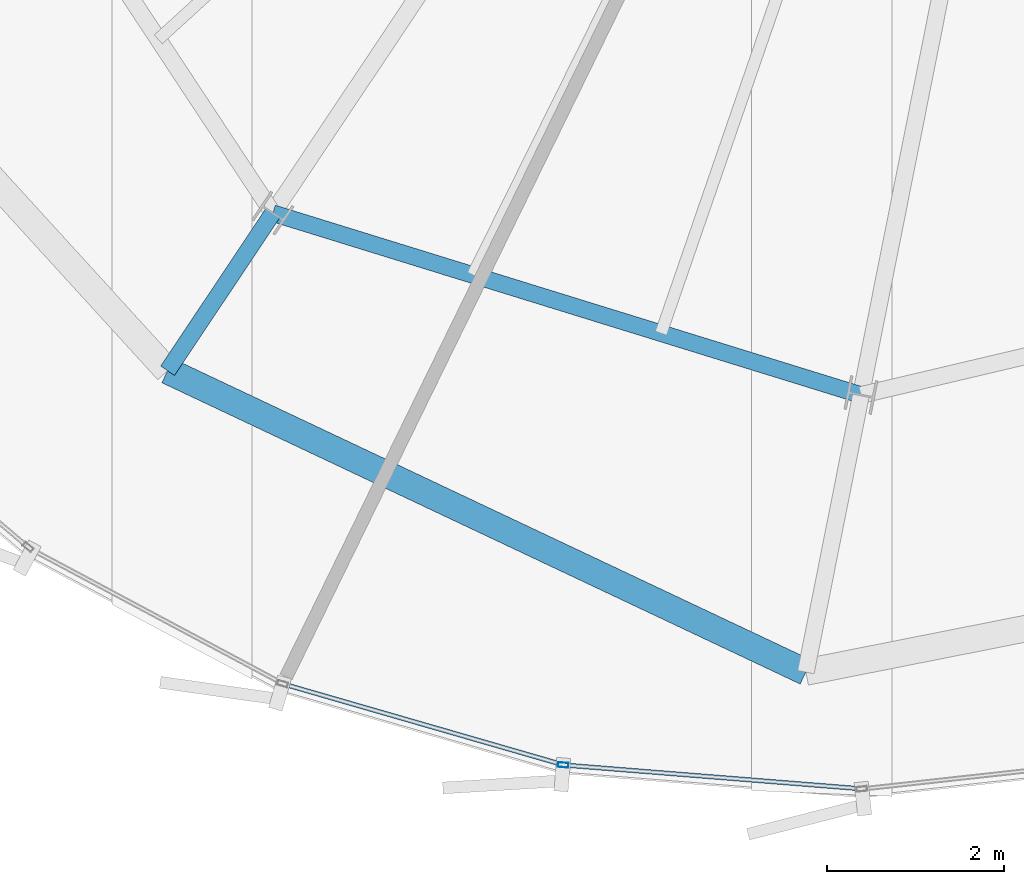
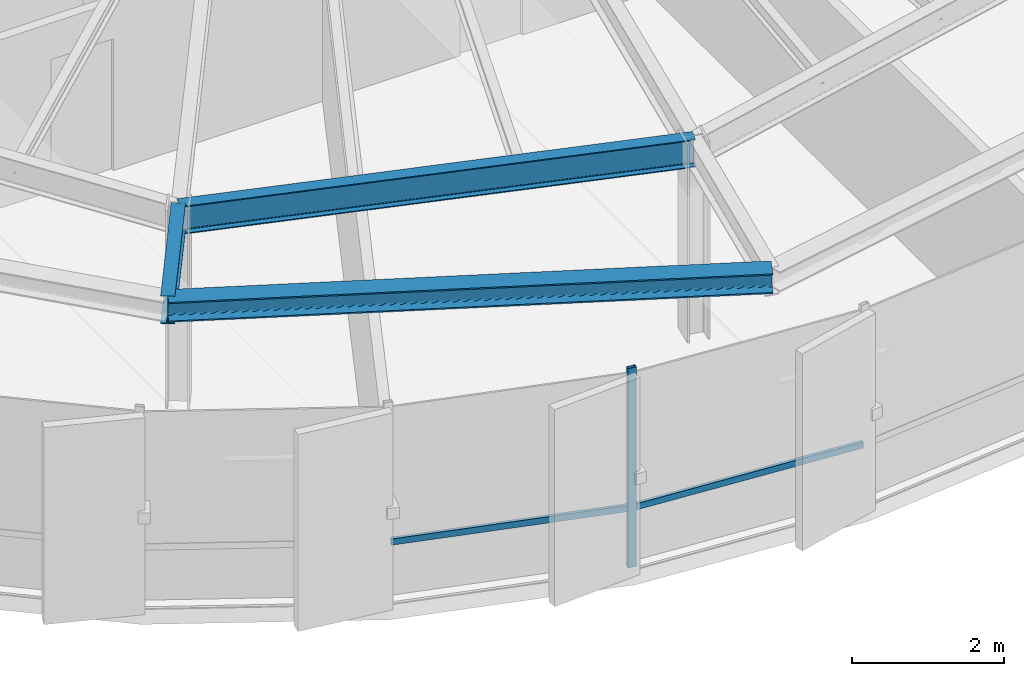
# One storey, part 3 of 34: 3 beams, 3 members, 1 element without a shape of its own.
"""IFC4 building model written with IfcOpenShell, lengths in metres."""

from ifc_helpers import new_model, si_unit, direction, frame, origin, origin_2d, place, context, subcontext, project, spatial, hollow_rectangle, i_section, extrude, source, transform, mapped, material, layer, layer_set, material_profile, profile_set, type_object, element, aggregate, save


model = new_model("IFC4")

# Units and contexts
model_context = context("Model", 3, precision=1e-05, world=origin(), true_north=direction((0.0, 1.0)))
body_context = subcontext(model_context, "Body", "Model", "MODEL_VIEW")
ifc_project = project(units=[si_unit("LENGTHUNIT", "METRE"), si_unit("AREAUNIT", "SQUARE_METRE"), si_unit("VOLUMEUNIT", "CUBIC_METRE"), si_unit("PLANEANGLEUNIT", "RADIAN"), si_unit("MASSUNIT", "GRAM", prefix="KILO"), si_unit("THERMODYNAMICTEMPERATUREUNIT", "KELVIN")], contexts=[model_context])

# Site, building, storey
site_placement = place(None, origin())
site = spatial("IfcSite", under=ifc_project, at=site_placement, CompositionType="ELEMENT")
building_placement = place(site_placement, origin())
building = spatial("IfcBuilding", under=site, at=building_placement, Name="Kethvar Cultural Tower", CompositionType="ELEMENT")
storey_placement = place(building_placement, frame((0.0, 0.0, 259.449951171875)))
storey = spatial("IfcBuildingStorey", under=building, at=storey_placement, Name="L68", CompositionType="ELEMENT", Elevation=259.449951171875)

# Beams
ifc_material_1 = material(Name="Steel S355J2", Category="steel")
ifc_material_profile_1 = material_profile(ifc_material_1, i_section(OverallWidth=0.18994140625, OverallDepth=0.449951171875, WebThickness=0.009521484375, FlangeThickness=0.0146484375, FilletRadius=0.02099609375, at=origin_2d()), Name="Steel S355J2 — IPE450")
ifc_profile_set_1 = profile_set([ifc_material_profile_1], Name="Steel S355J2 — IPE450")
beam_type_1 = type_object("IfcBeamType", Name="BM-IPE450", PredefinedType="BEAM", material=ifc_profile_set_1)
shared_shape_1 = source(origin(), body_context, "Body", "SweptSolid", [
    extrude(i_section(OverallWidth=0.18994140625, OverallDepth=0.449951171875, WebThickness=0.009521484375, FlangeThickness=0.0146484375, FilletRadius=0.02099609375, at=origin_2d()), origin(), (0.0, 0.0, 1.0), 6.97265625),
])
beam_1_placement = place(storey_placement, frame((36.731201171875, 12.73095703125, 2.983154296875), z_axis=(0.955381444404, -0.295374839295, 0.0), x_axis=(0.295374839295, 0.955381444404, 0.0)))
element("IfcBeam", 1, at=beam_1_placement, inside=storey, type_object=beam_type_1, Name="L68 Column Ring Tie Beam CR-11", PredefinedType="BEAM", context=body_context, shape_type="MappedRepresentation", body=[
    mapped(shared_shape_1, transform((0.0, 0.0, 0.0), scale=1.0)),
])
shared_shape_2 = source(origin(), body_context, "Body", "SweptSolid", [
    extrude(i_section(OverallWidth=0.18994140625, OverallDepth=0.449951171875, WebThickness=0.009521484375, FlangeThickness=0.0146484375, FilletRadius=0.02099609375, at=origin_2d()), origin(), (0.0, 0.0, 1.0), 2.14697265625),
])
beam_2_placement = place(storey_placement, frame((36.731201171875, 12.73095703125, 2.983154296875), z_axis=(-0.555592071532, -0.831455019861, 0.0), x_axis=(0.831455019861, -0.555592071532, 0.0)))
element("IfcBeam", 2, at=beam_2_placement, inside=storey, type_object=beam_type_1, Name="L68 Perimeter Cantilever Beam RC-11", PredefinedType="BEAM", context=body_context, shape_type="MappedRepresentation", body=[
    mapped(shared_shape_2, transform((0.0, 0.0, 0.0), scale=1.0)),
])
ifc_material_profile_2 = material_profile(ifc_material_1, i_section(OverallWidth=0.300048828125, OverallDepth=0.320068359375, WebThickness=0.011474609375, FlangeThickness=0.0205078125, FilletRadius=0.027099609375, at=origin_2d()), Name="Steel S355J2 — HEB320")
ifc_profile_set_2 = profile_set([ifc_material_profile_2], Name="Steel S355J2 — HEB320")
beam_type_2 = type_object("IfcBeamType", Name="BM-SP320", PredefinedType="SPANDREL", material=ifc_profile_set_2)
shared_shape_3 = source(origin(), body_context, "Body", "SweptSolid", [
    extrude(i_section(OverallWidth=0.300048828125, OverallDepth=0.320068359375, WebThickness=0.011474609375, FlangeThickness=0.0205078125, FilletRadius=0.027099609375, at=origin_2d()), origin(), (0.0, 0.0, 1.0), 7.995361328125),
])
beam_3_placement = place(storey_placement, frame((35.538330078125, 10.94580078125, 3.048095703125), z_axis=(0.904305952685, -0.42688493056, 0.0), x_axis=(0.42688493056, 0.904305952685, 0.0)))
element("IfcBeam", 3, at=beam_3_placement, inside=storey, type_object=beam_type_2, Name="L68 Perimeter Spandrel Beam SP-11", PredefinedType="SPANDREL", context=body_context, shape_type="MappedRepresentation", body=[
    mapped(shared_shape_3, transform((0.0, 0.0, 0.0), scale=1.0)),
])

# Curtain wall, members
ifc_material_2 = material(Name="Aluminium 6063-T6", Category="aluminium")
ifc_layer = layer(ifc_material_2, 0.179931640625, Name="Aluminium 6063-T6", Category="aluminium")
ifc_layer_set = layer_set([ifc_layer], Name="Aluminium 6063-T6 (180 mm)")
curtain_wall_type = type_object("IfcCurtainWallType", Name="CW-SYS-05-Z56", PredefinedType="NOTDEFINED", material=ifc_layer_set)
curtain_wall_placement = place(storey_placement, origin())
curtain_wall = element("IfcCurtainWall", 4, at=curtain_wall_placement, inside=storey, type_object=curtain_wall_type, Name="L68 Curtain Wall Run 04", PredefinedType="NOTDEFINED")
ifc_material_profile_3 = material_profile(ifc_material_2, hollow_rectangle(XDim=0.054931640625, YDim=0.1201171875, WallThickness=0.00390625, at=origin_2d()), Name="Aluminium 6063-T6 — RHS120x55x4")
ifc_profile_set_3 = profile_set([ifc_material_profile_3], Name="Aluminium 6063-T6 — RHS120x55x4")
member_type_1 = type_object("IfcMemberType", Name="CW-SYS-05-Z56-MUL", PredefinedType="MULLION", material=ifc_profile_set_3)
shared_shape_4 = source(origin(), body_context, "Body", "SweptSolid", [
    extrude(hollow_rectangle(XDim=0.054931640625, YDim=0.1201171875, WallThickness=0.00390625, at=origin_2d()), origin(), (0.0, 0.0, 1.0), 3.2099609375),
])
member_1_placement = place(storey_placement, frame((40.019287109375, 6.48095703125, 0.0), z_axis=(0.0, 0.0, 1.0), x_axis=(0.079642205503, 0.996823514521, 0.0)))
member_1 = element("IfcMember", 5, at=member_1_placement, type_object=member_type_1, Name="CW-L68-R04 Mullion 3", PredefinedType="MULLION", context=body_context, shape_type="MappedRepresentation", body=[
    mapped(shared_shape_4, transform((0.0, 0.0, 0.0), scale=1.0)),
])
ifc_material_profile_4 = material_profile(ifc_material_2, hollow_rectangle(XDim=0.050048828125, YDim=0.10009765625, WallThickness=0.00390625, at=origin_2d()), Name="Aluminium 6063-T6 — RHS100x50x4")
ifc_profile_set_4 = profile_set([ifc_material_profile_4], Name="Aluminium 6063-T6 — RHS100x50x4")
member_type_2 = type_object("IfcMemberType", Name="CW-SYS-05-Z56-TRN", PredefinedType="USERDEFINED", material=ifc_profile_set_4)
shared_shape_5 = source(origin(), body_context, "Body", "SweptSolid", [
    extrude(hollow_rectangle(XDim=0.050048828125, YDim=0.10009765625, WallThickness=0.00390625, at=origin_2d()), origin(), (0.0, 0.0, 1.0), 3.334716796875),
])
member_2_placement = place(storey_placement, frame((40.05859375, 6.477783203125, 0.949951171875), z_axis=(0.996822723183, -0.079652109491, 0.0), x_axis=(0.079652109491, 0.996822723183, 0.0)))
member_2 = element("IfcMember", 6, at=member_2_placement, type_object=member_type_2, Name="CW-L68-R04 Transom 3", ObjectType="TRANSOM", PredefinedType="USERDEFINED", context=body_context, shape_type="MappedRepresentation", body=[
    mapped(shared_shape_5, transform((0.0, 0.0, 0.0), scale=1.0)),
])
shared_shape_6 = source(origin(), body_context, "Body", "SweptSolid", [
    extrude(hollow_rectangle(XDim=0.050048828125, YDim=0.10009765625, WallThickness=0.00390625, at=origin_2d()), origin(), (0.0, 0.0, 1.0), 3.248046875),
])
member_3_placement = place(storey_placement, frame((36.88037109375, 7.388916015625, 0.949951171875), z_axis=(0.960785857584, -0.277291427682, 0.0), x_axis=(0.277291427682, 0.960785857584, 0.0)))
member_3 = element("IfcMember", 7, at=member_3_placement, type_object=member_type_2, Name="CW-L68-R04 Transom 2", ObjectType="TRANSOM", PredefinedType="USERDEFINED", context=body_context, shape_type="MappedRepresentation", body=[
    mapped(shared_shape_6, transform((0.0, 0.0, 0.0), scale=1.0)),
])
aggregate(curtain_wall, [member_1, member_3, member_2])

save(model, "model.ifc")
